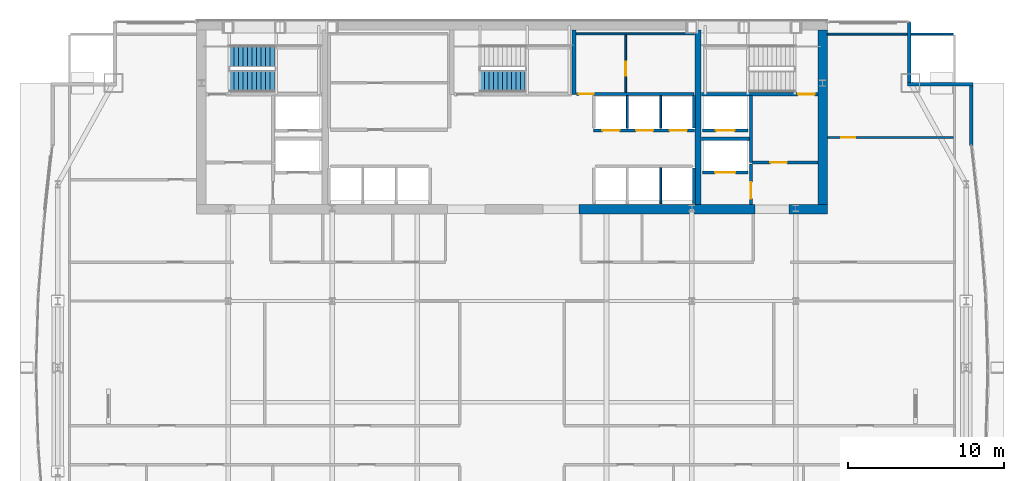
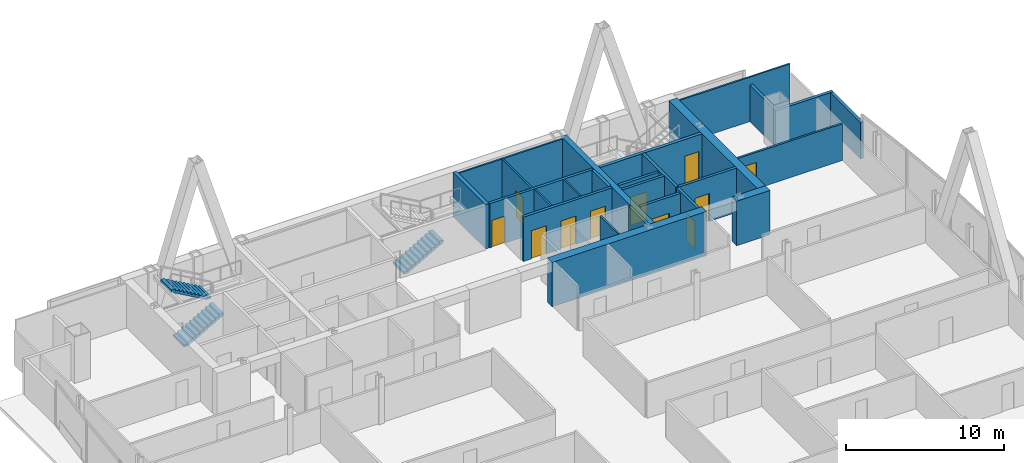
# One storey, part 29 of 32: 26 walls, 11 doors, 3 stair flights, 11 openings, 2 elements without a shape of their own.
"""IFC4 building model written with IfcOpenShell, lengths in metres."""

from ifc_helpers import new_model, si_unit, direction, frame, frame_2d, origin, place, context, subcontext, project, spatial, polyline, rectangle, outline, extrude, material, layer, layer_set, type_object, element, fill, aggregate, save


model = new_model("IFC4")

# Units and contexts
model_context = context("Model", 3, precision=1e-05, world=origin(), true_north=direction((0.0, 1.0)))
body_context = subcontext(model_context, "Body", "Model", "MODEL_VIEW")
ifc_project = project(units=[si_unit("LENGTHUNIT", "METRE"), si_unit("AREAUNIT", "SQUARE_METRE"), si_unit("VOLUMEUNIT", "CUBIC_METRE"), si_unit("PLANEANGLEUNIT", "RADIAN"), si_unit("MASSUNIT", "GRAM", prefix="KILO")], contexts=[model_context])

# Site, building, storey
site_placement = place(None, origin())
site = spatial("IfcSite", under=ifc_project, at=site_placement, CompositionType="ELEMENT")
building_placement = place(site_placement, origin())
building = spatial("IfcBuilding", under=site, at=building_placement, Name="Khoronbel Lancet Exchange", CompositionType="ELEMENT")
storey_placement = place(building_placement, frame((0.0, 0.0, 188.60009765625)))
storey = spatial("IfcBuildingStorey", under=building, at=storey_placement, Name="L47", CompositionType="ELEMENT", Elevation=188.60009765625)

# Walls
ifc_material_1 = material(Name="Concrete C60/75", Category="concrete")
ifc_layer_1 = layer(ifc_material_1, 0.60009765625, Name="Concrete C60/75")
ifc_layer_set_1 = layer_set([ifc_layer_1], Name="Concrete C60/75")
wall_type_1 = type_object("IfcWallType", Name="WL-CW3", PredefinedType="SHEAR", material=ifc_layer_set_1)
wall_1_placement = place(storey_placement, frame((56.39990234375, 53.10009765625, 0.0), z_axis=(0.0, 0.0, 1.0), x_axis=(0.0, -1.0, 0.0)))
element("IfcWall", 1, at=wall_1_placement, inside=storey, type_object=wall_type_1, Name="Level L47 rear core east shear wall", PredefinedType="SHEAR", context=body_context, shape_type="SweptSolid", body=[
    extrude(rectangle(XDim=11.2001953125, YDim=0.60009765625, at=frame_2d((5.60009765625, 0.0))), origin(), (0.0, 0.0, 1.0), 3.43994140625),
])
wall_2_placement = place(storey_placement, frame((52.050048828125, 41.60009765625, 0.0), z_axis=(0.0, 0.0, 1.0), x_axis=(-1.0, 0.0, 0.0)))
element("IfcWall", 2, at=wall_2_placement, inside=storey, type_object=wall_type_1, Name="Level L47 rear core south shear wall pier P4", PredefinedType="SHEAR", context=body_context, shape_type="SweptSolid", body=[
    extrude(rectangle(XDim=11.300048828125, YDim=0.60009765625, at=frame_2d((5.64990234375, 0.0))), origin(), (0.0, 0.0, 1.0), 3.43994140625),
])
wall_3_placement = place(storey_placement, frame((56.699951171875, 41.60009765625, 0.0), z_axis=(0.0, 0.0, 1.0), x_axis=(-1.0, 0.0, 0.0)))
element("IfcWall", 3, at=wall_3_placement, inside=storey, type_object=wall_type_1, Name="Level L47 rear core south shear wall pier P5", PredefinedType="SHEAR", context=body_context, shape_type="SweptSolid", body=[
    extrude(rectangle(XDim=2.449951171875, YDim=0.60009765625, at=frame_2d((1.22509765625, 0.0))), origin(), (0.0, 0.0, 1.0), 3.43994140625),
])
ifc_material_2 = material(Name="Precast concrete C40/50", Category="concrete")
ifc_layer_2 = layer(ifc_material_2, 0.25, Name="Precast concrete C40/50")
ifc_layer_set_2 = layer_set([ifc_layer_2], Name="Precast concrete C40/50")
wall_type_2 = type_object("IfcWallType", Name="WL-EXT250", PredefinedType="SOLIDWALL", material=ifc_layer_set_2)
wall_4_placement = place(storey_placement, frame((61.9599609375, 53.6298828125, 0.0), z_axis=(0.0, 0.0, 1.0), x_axis=(0.0, -1.0, 0.0)))
element("IfcWall", 4, at=wall_4_placement, inside=storey, type_object=wall_type_2, Name="Level L47 notched-corner limestone pier 14", PredefinedType="SOLIDWALL", context=body_context, shape_type="SweptSolid", body=[
    extrude(rectangle(XDim=3.909912109375, YDim=0.219970703125, at=frame_2d((1.955078125, 0.0))), origin(), (0.0, 0.0, 1.0), 2.829833984375),
])
wall_5_placement = place(storey_placement, frame((61.85009765625, 49.610107421875, 0.0), z_axis=(0.0, 0.0, 1.0), x_axis=(1.0, 0.0, 0.0)))
element("IfcWall", 5, at=wall_5_placement, inside=storey, type_object=wall_type_2, Name="Level L47 notched-corner limestone pier 15", PredefinedType="SOLIDWALL", context=body_context, shape_type="SweptSolid", body=[
    extrude(rectangle(XDim=4.219970703125, YDim=0.219970703125, at=frame_2d((2.10986328125, 0.0))), origin(), (0.0, 0.0, 1.0), 2.829833984375),
])
wall_6_placement = place(storey_placement, frame((65.9599609375, 49.5, 0.0), z_axis=(0.0, 0.0, 1.0), x_axis=(0.0, -1.0, 0.0)))
element("IfcWall", 6, at=wall_6_placement, inside=storey, type_object=wall_type_2, Name="Level L47 notched-corner limestone pier 16", PredefinedType="SOLIDWALL", context=body_context, shape_type="SweptSolid", body=[
    extrude(rectangle(XDim=3.824951171875, YDim=0.219970703125, at=frame_2d((1.91259765625, 0.0))), origin(), (0.0, 0.0, 1.0), 2.829833984375),
])

# Wall, opening, door
ifc_material_3 = material(Name="Acoustic Metal-Stud & Mineral-Wool Gypsum Partition 120 mm", Category="gypsum")
ifc_layer_3 = layer(ifc_material_3, 0.1201171875, Name="Acoustic Metal-Stud & Mineral-Wool Gypsum Partition 120 mm")
ifc_layer_set_3 = layer_set([ifc_layer_3], Name="Acoustic Metal-Stud & Mineral-Wool Gypsum Partition 120 mm")
wall_type_3 = type_object("IfcWallType", Name="WL-PRT120", PredefinedType="PARTITIONING", material=ifc_layer_set_3)
wall_7_placement = place(storey_placement, frame((56.699951171875, 46.199951171875, 0.0), z_axis=(0.0, 0.0, 1.0), x_axis=(1.0, 0.0, 0.0)))
wall_7 = element("IfcWall", 7, at=wall_7_placement, inside=storey, type_object=wall_type_3, Name="Level L47 interior partition PW-NE-H", PredefinedType="PARTITIONING", context=body_context, shape_type="SweptSolid", body=[
    extrude(rectangle(XDim=8.10498046875, YDim=0.14990234375, at=frame_2d((4.052490234375, 0.0))), origin(), (0.0, 0.0, 1.0), 2.829833984375),
])
opening_1_placement = place(wall_7_placement, frame((0.89990234375, 0.0, 0.0)))
opening_1 = element("IfcOpeningElement", 8, at=opening_1_placement, cuts=wall_7, Name="Opening D5", PredefinedType="OPENING", context=body_context, shape_type="SweptSolid", body=[
    extrude(rectangle(XDim=0.89990234375, YDim=2.050048828125, at=frame_2d((0.449951171875, 1.02490234375))), frame((0.0, 0.0849609375, 0.0), z_axis=(0.0, -1.0, 0.0), x_axis=(1.0, 0.0, 0.0)), (0.0, 0.0, 1.0), 0.169921875),
])
ifc_material_4 = material(Name="Acoustic Timber Pantry & Support Door", Category="wood")
door_type_1 = type_object("IfcDoorType", Name="DR-D5", OperationType="NOTDEFINED", PredefinedType="DOOR", material=ifc_material_4)
door_1_placement = place(opening_1_placement, origin())
door_1 = element("IfcDoor", 9, at=door_1_placement, inside=storey, type_object=door_type_1, Name="NE north room door L47-1", OperationType="SINGLE_SWING_LEFT", OverallHeight=2.050048828125, OverallWidth=0.89990234375, PredefinedType="DOOR", context=body_context, shape_type="SweptSolid", body=[
    extrude(rectangle(XDim=0.89990234375, YDim=2.050048828125, at=frame_2d((0.449951171875, 1.02490234375))), frame((0.0, 0.02490234375, 0.0), z_axis=(0.0, -1.0, 0.0), x_axis=(1.0, 0.0, 0.0)), (0.0, 0.0, 1.0), 0.050048828125),
])
fill(opening_1, door_1)

# Walls
wall_8_placement = place(storey_placement, frame((56.699951171875, 52.840087890625, 0.0), z_axis=(0.0, 0.0, 1.0), x_axis=(1.0, 0.0, 0.0)))
element("IfcWall", 10, at=wall_8_placement, inside=storey, type_object=wall_type_3, Name="Level L47 interior partition PW-LIN-NE", PredefinedType="PARTITIONING", context=body_context, shape_type="SweptSolid", body=[
    extrude(rectangle(XDim=8.10498046875, YDim=0.1201171875, at=frame_2d((4.052490234375, 0.0))), origin(), (0.0, 0.0, 1.0), 3.43994140625),
])
ifc_material_5 = material(Name="Fire-Rated Metal-Stud & Mineral-Wool Gypsum Partition 120 mm", Category="gypsum")
ifc_layer_4 = layer(ifc_material_5, 0.1201171875, Name="Fire-Rated Metal-Stud & Mineral-Wool Gypsum Partition 120 mm")
ifc_layer_set_4 = layer_set([ifc_layer_4], Name="Fire-Rated Metal-Stud & Mineral-Wool Gypsum Partition 120 mm")
wall_type_4 = type_object("IfcWallType", Name="WL-PRT120F", PredefinedType="PARTITIONING", material=ifc_layer_set_4)
for number, where, z_axis, x_axis, name in (
    (11, (43.860107421875, 46.800048828125, 0.0), (0.0, 0.0, 1.0), (0.0, 1.0, 0.0), "Level L47 interior partition CW-PH-D1"),
    (12, (46.0, 46.800048828125, 0.0), (0.0, 0.0, 1.0), (0.0, 1.0, 0.0), "Level L47 interior partition CW-PH-D2"),
):
    element("IfcWall", number, at=place(storey_placement, frame(where, z_axis=z_axis, x_axis=x_axis)), inside=storey, type_object=wall_type_4, Name=name, PredefinedType="PARTITIONING", context=body_context, shape_type="SweptSolid", body=[
        extrude(rectangle(XDim=2.094970703125, YDim=0.1201171875, at=frame_2d((1.04736328125, 0.0))), origin(), (0.0, 0.0, 1.0), 3.43994140625),
    ])
wall_9_placement = place(storey_placement, frame((46.0, 41.949951171875, 0.0), z_axis=(0.0, 0.0, 1.0), x_axis=(0.0, 1.0, 0.0)))
element("IfcWall", 13, at=wall_9_placement, inside=storey, type_object=wall_type_4, Name="Level L47 interior partition CW-PX-D2", PredefinedType="PARTITIONING", context=body_context, shape_type="SweptSolid", body=[
    extrude(rectangle(XDim=2.295166015625, YDim=0.1201171875, at=frame_2d((1.1474609375, 0.0))), origin(), (0.0, 0.0, 1.0), 3.43994140625),
])
wall_10_placement = place(storey_placement, frame((40.580078125, 52.860107421875, 0.0), z_axis=(0.0, 0.0, 1.0), x_axis=(1.0, 0.0, 0.0)))
element("IfcWall", 14, at=wall_10_placement, inside=storey, type_object=wall_type_4, Name="Level L47 interior partition CW-SUP-NE-N", PredefinedType="PARTITIONING", context=body_context, shape_type="SweptSolid", body=[
    extrude(rectangle(XDim=7.559814453125, YDim=0.1201171875, at=frame_2d((3.77978515625, 0.0))), origin(), (0.0, 0.0, 1.0), 3.43994140625),
])

# Wall, opening, door
wall_11_placement = place(storey_placement, frame((43.755126953125, 49.10498046875, 0.0), z_axis=(0.0, 0.0, 1.0), x_axis=(0.0, 1.0, 0.0)))
wall_11 = element("IfcWall", 15, at=wall_11_placement, inside=storey, type_object=wall_type_4, Name="Level L47 interior partition CW-SUP-NE-M", PredefinedType="PARTITIONING", context=body_context, shape_type="SweptSolid", body=[
    extrude(rectangle(XDim=3.68994140625, YDim=0.1201171875, at=frame_2d((1.844970703125, 0.0))), origin(), (0.0, 0.0, 1.0), 3.43994140625),
])
opening_2_placement = place(wall_11_placement, frame((1.050048828125, 0.0, 0.0)))
opening_2 = element("IfcOpeningElement", 16, at=opening_2_placement, cuts=wall_11, Name="Opening FD4", PredefinedType="OPENING", context=body_context, shape_type="SweptSolid", body=[
    extrude(rectangle(XDim=0.89990234375, YDim=2.050048828125, at=frame_2d((0.449951171875, 1.02490234375))), frame((0.0, 0.070068359375, 0.0), z_axis=(0.0, -1.0, 0.0), x_axis=(1.0, 0.0, 0.0)), (0.0, 0.0, 1.0), 0.14013671875),
])
ifc_material_6 = material(Name="Fire-Rated Steel Core Support Door Assembly", Category="steel")
door_type_2 = type_object("IfcDoorType", Name="DR-FD4", OperationType="NOTDEFINED", PredefinedType="DOOR", material=ifc_material_6)
door_2_placement = place(opening_2_placement, origin())
door_2 = element("IfcDoor", 17, at=door_2_placement, inside=storey, type_object=door_type_2, Name="Core NE inner support door L47-1", OperationType="SINGLE_SWING_RIGHT", OverallHeight=2.050048828125, OverallWidth=0.89990234375, PredefinedType="DOOR", context=body_context, shape_type="SweptSolid", body=[
    extrude(rectangle(XDim=0.89990234375, YDim=2.050048828125, at=frame_2d((0.449951171875, 1.02490234375))), frame((0.0, 0.02490234375, 0.0), z_axis=(0.0, -1.0, 0.0), x_axis=(1.0, 0.0, 0.0)), (0.0, 0.0, 1.0), 0.050048828125),
])
fill(opening_2, door_2)

ifc_material_7 = material(Name="Autoclaved Aerated Concrete Blockwork 200 mm", Category="masonry")
ifc_layer_5 = layer(ifc_material_7, 0.199951171875, Name="Autoclaved Aerated Concrete Blockwork 200 mm")
ifc_layer_set_5 = layer_set([ifc_layer_5], Name="Autoclaved Aerated Concrete Blockwork 200 mm")
wall_type_5 = type_object("IfcWallType", Name="WL-PRT200", PredefinedType="PARTITIONING", material=ifc_layer_set_5)
wall_12_placement = place(storey_placement, frame((51.610107421875, 43.949951171875, 0.0), z_axis=(0.0, 0.0, 1.0), x_axis=(-1.0, 0.0, 0.0)))
wall_12 = element("IfcWall", 18, at=wall_12_placement, inside=storey, type_object=wall_type_5, Name="Level L47 elevator hoistway landing front wall SVLE", PredefinedType="PARTITIONING", context=body_context, shape_type="SweptSolid", body=[
    extrude(rectangle(XDim=2.920166015625, YDim=0.199951171875, at=frame_2d((1.4599609375, 0.0))), origin(), (0.0, 0.0, 1.0), 3.43994140625),
])
opening_3_placement = place(wall_12_placement, frame((0.81005859375, 0.0, 0.0)))
opening_3 = element("IfcOpeningElement", 19, at=opening_3_placement, cuts=wall_12, Name="Opening LD-SVL2", PredefinedType="OPENING", context=body_context, shape_type="SweptSolid", body=[
    extrude(rectangle(XDim=1.300048828125, YDim=2.179931640625, at=frame_2d((0.64990234375, 1.08984375))), frame((0.0, 0.10986328125, 0.0), z_axis=(0.0, -1.0, 0.0), x_axis=(1.0, 0.0, 0.0)), (0.0, 0.0, 1.0), 0.219970703125),
])
ifc_material_8 = material(Name="Heavy-Duty Bi-Parting Goods Lift Landing Door", Category="steel")
door_type_3 = type_object("IfcDoorType", Name="DR-LD-SVL", OperationType="NOTDEFINED", PredefinedType="DOOR", material=ifc_material_8)
door_3_placement = place(opening_3_placement, origin())
door_3 = element("IfcDoor", 20, at=door_3_placement, inside=storey, type_object=door_type_3, Name="Elevator landing sliding door LD-SVL2 L47", OperationType="SLIDING_TO_LEFT", OverallHeight=2.179931640625, OverallWidth=1.300048828125, PredefinedType="DOOR", context=body_context, shape_type="SweptSolid", body=[
    extrude(rectangle(XDim=1.300048828125, YDim=2.179931640625, at=frame_2d((0.64990234375, 1.08984375))), frame((0.0, 0.02490234375, 0.0), z_axis=(0.0, -1.0, 0.0), x_axis=(1.0, 0.0, 0.0)), (0.0, 0.0, 1.0), 0.050048828125),
])
fill(opening_3, door_3)

wall_13_placement = place(storey_placement, frame((51.610107421875, 46.64990234375, 0.0), z_axis=(0.0, 0.0, 1.0), x_axis=(-1.0, 0.0, 0.0)))
wall_13 = element("IfcWall", 21, at=wall_13_placement, inside=storey, type_object=wall_type_5, Name="Level L47 elevator hoistway landing front wall FFLE", PredefinedType="PARTITIONING", context=body_context, shape_type="SweptSolid", body=[
    extrude(rectangle(XDim=2.920166015625, YDim=0.199951171875, at=frame_2d((1.4599609375, 0.0))), origin(), (0.0, 0.0, 1.0), 3.43994140625),
])
opening_4_placement = place(wall_13_placement, frame((0.860107421875, 0.0, 0.0)))
opening_4 = element("IfcOpeningElement", 22, at=opening_4_placement, cuts=wall_13, Name="Opening LD-FFL2", PredefinedType="OPENING", context=body_context, shape_type="SweptSolid", body=[
    extrude(rectangle(XDim=1.199951171875, YDim=2.179931640625, at=frame_2d((0.60009765625, 1.08984375))), frame((0.0, 0.10986328125, 0.0), z_axis=(0.0, -1.0, 0.0), x_axis=(1.0, 0.0, 0.0)), (0.0, 0.0, 1.0), 0.219970703125),
])
ifc_material_9 = material(Name="Fire-Rated Stainless Bi-Parting Firefighting Lift Door", Category="steel")
door_type_4 = type_object("IfcDoorType", Name="DR-LD-FFL", OperationType="NOTDEFINED", PredefinedType="DOOR", material=ifc_material_9)
door_4_placement = place(opening_4_placement, origin())
door_4 = element("IfcDoor", 23, at=door_4_placement, inside=storey, type_object=door_type_4, Name="Elevator landing sliding door LD-FFL2 L47", OperationType="SLIDING_TO_LEFT", OverallHeight=2.179931640625, OverallWidth=1.199951171875, PredefinedType="DOOR", context=body_context, shape_type="SweptSolid", body=[
    extrude(rectangle(XDim=1.199951171875, YDim=2.179931640625, at=frame_2d((0.60009765625, 1.08984375))), frame((0.0, 0.02490234375, 0.0), z_axis=(0.0, -1.0, 0.0), x_axis=(1.0, 0.0, 0.0)), (0.0, 0.0, 1.0), 0.050048828125),
])
fill(opening_4, door_4)

# Wall, openings, doors
wall_14_placement = place(storey_placement, frame((48.159912109375, 46.64990234375, 0.0), z_axis=(0.0, 0.0, 1.0), x_axis=(-1.0, 0.0, 0.0)))
wall_14 = element("IfcWall", 24, at=wall_14_placement, inside=storey, type_object=wall_type_5, Name="Level L47 elevator hoistway landing front wall PHE", PredefinedType="PARTITIONING", context=body_context, shape_type="SweptSolid", body=[
    extrude(rectangle(XDim=6.47998046875, YDim=0.199951171875, at=frame_2d((3.239990234375, 0.0))), origin(), (0.0, 0.0, 1.0), 3.43994140625),
])
opening_5_placement = place(wall_14_placement, frame((4.800048828125, 0.0, 0.0)))
opening_5 = element("IfcOpeningElement", 25, at=opening_5_placement, cuts=wall_14, Name="Opening LD-PH1", PredefinedType="OPENING", context=body_context, shape_type="SweptSolid", body=[
    extrude(rectangle(XDim=1.10009765625, YDim=2.179931640625, at=frame_2d((0.550048828125, 1.08984375))), frame((0.0, 0.10986328125, 0.0), z_axis=(0.0, -1.0, 0.0), x_axis=(1.0, 0.0, 0.0)), (0.0, 0.0, 1.0), 0.219970703125),
])
opening_6_placement = place(wall_14_placement, frame((2.639892578125, 0.0, 0.0)))
opening_6 = element("IfcOpeningElement", 26, at=opening_6_placement, cuts=wall_14, Name="Opening LD-PH2", PredefinedType="OPENING", context=body_context, shape_type="SweptSolid", body=[
    extrude(rectangle(XDim=1.10009765625, YDim=2.179931640625, at=frame_2d((0.550048828125, 1.08984375))), frame((0.0, 0.10986328125, 0.0), z_axis=(0.0, -1.0, 0.0), x_axis=(1.0, 0.0, 0.0)), (0.0, 0.0, 1.0), 0.219970703125),
])
opening_7_placement = place(wall_14_placement, frame((0.47998046875, 0.0, 0.0)))
opening_7 = element("IfcOpeningElement", 27, at=opening_7_placement, cuts=wall_14, Name="Opening LD-PH3", PredefinedType="OPENING", context=body_context, shape_type="SweptSolid", body=[
    extrude(rectangle(XDim=1.10009765625, YDim=2.179931640625, at=frame_2d((0.550048828125, 1.08984375))), frame((0.0, 0.10986328125, 0.0), z_axis=(0.0, -1.0, 0.0), x_axis=(1.0, 0.0, 0.0)), (0.0, 0.0, 1.0), 0.219970703125),
])
ifc_material_10 = material(Name="Brushed Bronze Bi-Parting Elevator Landing Door", Category="steel")
door_type_5 = type_object("IfcDoorType", Name="DR-LD-PAX", OperationType="NOTDEFINED", PredefinedType="DOOR", material=ifc_material_10)
door_5_placement = place(opening_5_placement, origin())
door_5 = element("IfcDoor", 28, at=door_5_placement, inside=storey, type_object=door_type_5, Name="Elevator landing sliding door LD-PH1 L47", OperationType="SLIDING_TO_LEFT", OverallHeight=2.179931640625, OverallWidth=1.10009765625, PredefinedType="DOOR", context=body_context, shape_type="SweptSolid", body=[
    extrude(rectangle(XDim=1.10009765625, YDim=2.179931640625, at=frame_2d((0.550048828125, 1.08984375))), frame((0.0, 0.02490234375, 0.0), z_axis=(0.0, -1.0, 0.0), x_axis=(1.0, 0.0, 0.0)), (0.0, 0.0, 1.0), 0.050048828125),
])
fill(opening_5, door_5)
door_6_placement = place(opening_6_placement, origin())
door_6 = element("IfcDoor", 29, at=door_6_placement, inside=storey, type_object=door_type_5, Name="Elevator landing sliding door LD-PH2 L47", OperationType="SLIDING_TO_LEFT", OverallHeight=2.179931640625, OverallWidth=1.10009765625, PredefinedType="DOOR", context=body_context, shape_type="SweptSolid", body=[
    extrude(rectangle(XDim=1.10009765625, YDim=2.179931640625, at=frame_2d((0.550048828125, 1.08984375))), frame((0.0, 0.02490234375, 0.0), z_axis=(0.0, -1.0, 0.0), x_axis=(1.0, 0.0, 0.0)), (0.0, 0.0, 1.0), 0.050048828125),
])
fill(opening_6, door_6)
door_7_placement = place(opening_7_placement, origin())
door_7 = element("IfcDoor", 30, at=door_7_placement, inside=storey, type_object=door_type_5, Name="Elevator landing sliding door LD-PH3 L47", OperationType="SLIDING_TO_LEFT", OverallHeight=2.179931640625, OverallWidth=1.10009765625, PredefinedType="DOOR", context=body_context, shape_type="SweptSolid", body=[
    extrude(rectangle(XDim=1.10009765625, YDim=2.179931640625, at=frame_2d((0.550048828125, 1.08984375))), frame((0.0, 0.02490234375, 0.0), z_axis=(0.0, -1.0, 0.0), x_axis=(1.0, 0.0, 0.0)), (0.0, 0.0, 1.0), 0.050048828125),
])
fill(opening_7, door_7)

# Wall
wall_15_placement = place(storey_placement, frame((51.800048828125, 44.60009765625, 0.0), z_axis=(0.0, 0.0, 1.0), x_axis=(0.0, 1.0, 0.0)))
element("IfcWall", 31, at=wall_15_placement, inside=storey, type_object=wall_type_5, Name="Level L47 interior partition CW-FFLE-W", PredefinedType="PARTITIONING", context=body_context, shape_type="SweptSolid", body=[
    extrude(rectangle(XDim=4.2998046875, YDim=0.199951171875, at=frame_2d((2.14990234375, 0.0))), origin(), (0.0, 0.0, 1.0), 3.43994140625),
])

# Wall, opening, door
wall_16_placement = place(storey_placement, frame((51.89990234375, 44.60009765625, 0.0), z_axis=(0.0, 0.0, 1.0), x_axis=(1.0, 0.0, 0.0)))
wall_16 = element("IfcWall", 32, at=wall_16_placement, inside=storey, type_object=wall_type_5, Name="Level L47 interior partition CW-FFLE-S", PredefinedType="PARTITIONING", context=body_context, shape_type="SweptSolid", body=[
    extrude(rectangle(XDim=4.2001953125, YDim=0.199951171875, at=frame_2d((2.10009765625, 0.0))), origin(), (0.0, 0.0, 1.0), 3.43994140625),
])
opening_8_placement = place(wall_16_placement, frame((1.14990234375, 0.0, 0.0)))
opening_8 = element("IfcOpeningElement", 33, at=opening_8_placement, cuts=wall_16, Name="Opening FD1", PredefinedType="OPENING", context=body_context, shape_type="SweptSolid", body=[
    extrude(rectangle(XDim=1.050048828125, YDim=2.14990234375, at=frame_2d((0.52490234375, 1.074951171875))), frame((0.0, 0.10986328125, 0.0), z_axis=(0.0, -1.0, 0.0), x_axis=(1.0, 0.0, 0.0)), (0.0, 0.0, 1.0), 0.219970703125),
])
ifc_material_11 = material(Name="Fire-Rated Painted Steel Door Assembly", Category="steel")
door_type_6 = type_object("IfcDoorType", Name="DR-FD1", OperationType="NOTDEFINED", PredefinedType="DOOR", material=ifc_material_11)
door_8_placement = place(opening_8_placement, origin())
door_8 = element("IfcDoor", 34, at=door_8_placement, inside=storey, type_object=door_type_6, Name="East firefighting lobby FD90S door L47-1", OperationType="SINGLE_SWING_LEFT", OverallHeight=2.14990234375, OverallWidth=1.050048828125, PredefinedType="DOOR", context=body_context, shape_type="SweptSolid", body=[
    extrude(rectangle(XDim=1.050048828125, YDim=2.14990234375, at=frame_2d((0.52490234375, 1.074951171875))), frame((0.0, 0.02490234375, 0.0), z_axis=(0.0, -1.0, 0.0), x_axis=(1.0, 0.0, 0.0)), (0.0, 0.0, 1.0), 0.050048828125),
])
fill(opening_8, door_8)

# Wall
wall_17_placement = place(storey_placement, frame((48.6298828125, 46.1201171875, 0.0), z_axis=(0.0, 0.0, 1.0), x_axis=(1.0, 0.0, 0.0)))
element("IfcWall", 35, at=wall_17_placement, inside=storey, type_object=wall_type_5, Name="Level L47 interior partition CW-FFL2-S", PredefinedType="PARTITIONING", context=body_context, shape_type="SweptSolid", body=[
    extrude(rectangle(XDim=3.070068359375, YDim=0.199951171875, at=frame_2d((1.53515625, 0.0))), origin(), (0.0, 0.0, 1.0), 3.43994140625),
])

# Wall, opening, door
wall_18_placement = place(storey_placement, frame((51.800048828125, 41.89990234375, 0.0), z_axis=(0.0, 0.0, 1.0), x_axis=(0.0, 1.0, 0.0)))
wall_18 = element("IfcWall", 36, at=wall_18_placement, inside=storey, type_object=wall_type_5, Name="Level L47 interior partition CW-SVLE-E", PredefinedType="PARTITIONING", context=body_context, shape_type="SweptSolid", body=[
    extrude(rectangle(XDim=2.59521484375, YDim=0.199951171875, at=frame_2d((1.297607421875, 0.0))), origin(), (0.0, 0.0, 1.0), 3.43994140625),
])
opening_9_placement = place(wall_18_placement, frame((0.3798828125, 0.0, 0.0)))
opening_9 = element("IfcOpeningElement", 37, at=opening_9_placement, cuts=wall_18, Name="Opening FD1", PredefinedType="OPENING", context=body_context, shape_type="SweptSolid", body=[
    extrude(rectangle(XDim=1.050048828125, YDim=2.14990234375, at=frame_2d((0.52490234375, 1.074951171875))), frame((0.0, 0.10986328125, 0.0), z_axis=(0.0, -1.0, 0.0), x_axis=(1.0, 0.0, 0.0)), (0.0, 0.0, 1.0), 0.219970703125),
])
door_9_placement = place(opening_9_placement, origin())
door_9 = element("IfcDoor", 38, at=door_9_placement, inside=storey, type_object=door_type_6, Name="East service lift lobby door L47-1", OperationType="SINGLE_SWING_RIGHT", OverallHeight=2.14990234375, OverallWidth=1.050048828125, PredefinedType="DOOR", context=body_context, shape_type="SweptSolid", body=[
    extrude(rectangle(XDim=1.050048828125, YDim=2.14990234375, at=frame_2d((0.52490234375, 1.074951171875))), frame((0.0, 0.02490234375, 0.0), z_axis=(0.0, -1.0, 0.0), x_axis=(1.0, 0.0, 0.0)), (0.0, 0.0, 1.0), 0.050048828125),
])
fill(opening_9, door_9)

# Walls
wall_19_placement = place(storey_placement, frame((48.139892578125, 46.800048828125, 0.0), z_axis=(0.0, 0.0, 1.0), x_axis=(0.0, 1.0, 0.0)))
element("IfcWall", 39, at=wall_19_placement, inside=storey, type_object=wall_type_5, Name="Level L47 interior partition CW-PH-E", PredefinedType="PARTITIONING", context=body_context, shape_type="SweptSolid", body=[
    extrude(rectangle(XDim=2.094970703125, YDim=0.199951171875, at=frame_2d((1.04736328125, 0.0))), origin(), (0.0, 0.0, 1.0), 3.43994140625),
])
wall_20_placement = place(storey_placement, frame((48.139892578125, 41.949951171875, 0.0), z_axis=(0.0, 0.0, 1.0), x_axis=(0.0, 1.0, 0.0)))
element("IfcWall", 40, at=wall_20_placement, inside=storey, type_object=wall_type_5, Name="Level L47 interior partition CW-PX-E", PredefinedType="PARTITIONING", context=body_context, shape_type="SweptSolid", body=[
    extrude(rectangle(XDim=2.295166015625, YDim=0.199951171875, at=frame_2d((1.1474609375, 0.0))), origin(), (0.0, 0.0, 1.0), 3.43994140625),
])

# Wall, opening, door
wall_21_placement = place(storey_placement, frame((40.580078125, 49.0, 0.0), z_axis=(0.0, 0.0, 1.0), x_axis=(1.0, 0.0, 0.0)))
wall_21 = element("IfcWall", 41, at=wall_21_placement, inside=storey, type_object=wall_type_5, Name="Level L47 interior partition CW-SUP-NE-S", PredefinedType="PARTITIONING", context=body_context, shape_type="SweptSolid", body=[
    extrude(rectangle(XDim=7.559814453125, YDim=0.199951171875, at=frame_2d((3.77978515625, 0.0))), origin(), (0.0, 0.0, 1.0), 3.43994140625),
])
opening_10_placement = place(wall_21_placement, frame((0.159912109375, 0.0, 0.0)))
opening_10 = element("IfcOpeningElement", 42, at=opening_10_placement, cuts=wall_21, Name="Opening FD3", PredefinedType="OPENING", context=body_context, shape_type="SweptSolid", body=[
    extrude(rectangle(XDim=0.949951171875, YDim=2.10009765625, at=frame_2d((0.47509765625, 1.050048828125))), frame((0.0, 0.10986328125, 0.0), z_axis=(0.0, -1.0, 0.0), x_axis=(1.0, 0.0, 0.0)), (0.0, 0.0, 1.0), 0.219970703125),
])
ifc_material_12 = material(Name="Fire-Rated Steel Plant & Riser Door Assembly", Category="steel")
door_type_7 = type_object("IfcDoorType", Name="DR-FD3", OperationType="NOTDEFINED", PredefinedType="DOOR", material=ifc_material_12)
door_10_placement = place(opening_10_placement, origin())
door_10 = element("IfcDoor", 43, at=door_10_placement, inside=storey, type_object=door_type_7, Name="Core NE support room door L47-1", OperationType="SINGLE_SWING_LEFT", OverallHeight=2.10009765625, OverallWidth=0.949951171875, PredefinedType="DOOR", context=body_context, shape_type="SweptSolid", body=[
    extrude(rectangle(XDim=0.949951171875, YDim=2.10009765625, at=frame_2d((0.47509765625, 1.050048828125))), frame((0.0, 0.02490234375, 0.0), z_axis=(0.0, -1.0, 0.0), x_axis=(1.0, 0.0, 0.0)), (0.0, 0.0, 1.0), 0.050048828125),
])
fill(opening_10, door_10)

# Walls
ifc_layer_6 = layer(ifc_material_1, 0.39990234375, Name="Concrete C60/75")
ifc_layer_set_6 = layer_set([ifc_layer_6], Name="Concrete C60/75")
wall_type_6 = type_object("IfcWallType", Name="WL-SW2", PredefinedType="SHEAR", material=ifc_layer_set_6)
wall_22_placement = place(storey_placement, frame((48.39990234375, 41.89990234375, 0.0), z_axis=(0.0, 0.0, 1.0), x_axis=(0.0, 1.0, 0.0)))
element("IfcWall", 44, at=wall_22_placement, inside=storey, type_object=wall_type_6, Name="Level L47 rear core internal spine shear wall IE", PredefinedType="SHEAR", context=body_context, shape_type="SweptSolid", body=[
    extrude(rectangle(XDim=11.2001953125, YDim=0.39990234375, at=frame_2d((5.60009765625, 0.0))), origin(), (0.0, 0.0, 1.0), 3.43994140625),
])
ifc_layer_7 = layer(ifc_material_1, 0.260009765625, Name="Concrete C60/75")
ifc_layer_set_7 = layer_set([ifc_layer_7], Name="Concrete C60/75")
wall_type_7 = type_object("IfcWallType", Name="WL-SW3", PredefinedType="SHEAR", material=ifc_layer_set_7)
wall_23_placement = place(storey_placement, frame((40.419921875, 48.949951171875, 0.0), z_axis=(0.0, 0.0, 1.0), x_axis=(0.0, 1.0, 0.0)))
element("IfcWall", 45, at=wall_23_placement, inside=storey, type_object=wall_type_7, Name="Level L47 central stairwell structural shear wall ST3E", PredefinedType="SHEAR", context=body_context, shape_type="SweptSolid", body=[
    extrude(rectangle(XDim=4.150146484375, YDim=0.260009765625, at=frame_2d((2.0751953125, 0.0))), origin(), (0.0, 0.0, 1.0), 3.43994140625),
])

# Wall, opening, door
wall_24_placement = place(storey_placement, frame((48.6298828125, 48.97998046875, 0.0), z_axis=(0.0, 0.0, 1.0), x_axis=(1.0, 0.0, 0.0)))
wall_24 = element("IfcWall", 46, at=wall_24_placement, inside=storey, type_object=wall_type_7, Name="Level L47 east stairwell structural south wall", PredefinedType="SHEAR", context=body_context, shape_type="SweptSolid", body=[
    extrude(rectangle(XDim=7.47021484375, YDim=0.239990234375, at=frame_2d((3.735107421875, 0.0))), origin(), (0.0, 0.0, 1.0), 3.43994140625),
])
opening_11_placement = place(wall_24_placement, frame((6.199951171875, 0.0, 0.0)))
opening_11 = element("IfcOpeningElement", 47, at=opening_11_placement, cuts=wall_24, Name="Opening SD1", PredefinedType="OPENING", context=body_context, shape_type="SweptSolid", body=[
    extrude(rectangle(XDim=1.050048828125, YDim=2.14990234375, at=frame_2d((0.52490234375, 1.074951171875))), frame((0.0, 0.1298828125, 0.0), z_axis=(0.0, -1.0, 0.0), x_axis=(1.0, 0.0, 0.0)), (0.0, 0.0, 1.0), 0.260009765625),
])
ifc_material_13 = material(Name="Fire-Rated Steel Stairwell Door Assembly", Category="steel")
door_type_8 = type_object("IfcDoorType", Name="DR-SD1", OperationType="NOTDEFINED", PredefinedType="DOOR", material=ifc_material_13)
door_11_placement = place(opening_11_placement, origin())
door_11 = element("IfcDoor", 48, at=door_11_placement, inside=storey, type_object=door_type_8, Name="Protected exit stair ST2 door L47", OperationType="SINGLE_SWING_RIGHT", OverallHeight=2.14990234375, OverallWidth=1.050048828125, PredefinedType="DOOR", context=body_context, shape_type="SweptSolid", body=[
    extrude(rectangle(XDim=1.050048828125, YDim=2.14990234375, at=frame_2d((0.52490234375, 1.074951171875))), frame((0.0, 0.02490234375, 0.0), z_axis=(0.0, -1.0, 0.0), x_axis=(1.0, 0.0, 0.0)), (0.0, 0.0, 1.0), 0.050048828125),
])
fill(opening_11, door_11)

# Stair, stair flights
ifc_material_14 = material(Name="Concrete C40/50", Category="concrete")
stair_type = type_object("IfcStairType", Name="STR-CORE150", PredefinedType="HALF_TURN_STAIR", material=ifc_material_14)
stair_1_placement = place(storey_placement, origin())
stair_1 = element("IfcStair", 49, at=stair_1_placement, inside=storey, type_object=stair_type, Name="L47 Protected Exit Stair ST1", PredefinedType="HALF_TURN_STAIR")
stair_flight_type = type_object("IfcStairFlightType", Name="STF-150", PredefinedType="STRAIGHT", material=ifc_material_14)
stair_flight_1_placement = place(storey_placement, frame((18.300048828125, 49.81005859375, 0.0), z_axis=(0.0, 0.0, 1.0), x_axis=(1.0, 0.0, 0.0)))
stair_flight_1 = element("IfcStairFlight", 50, at=stair_flight_1_placement, type_object=stair_flight_type, Name="ST1 flight 1", NumberOfRisers=11, NumberOfTreads=10, PredefinedType="STRAIGHT", RiserHeight=0.163636364, TreadLength=0.29, context=body_context, shape_type="SweptSolid", body=[
    extrude(outline(polyline([(0.0, 0.0), (0.0, 0.16357421875), (0.2900390625, 0.16357421875), (0.2900390625, 0.327392578125), (0.580078125, 0.327392578125), (0.580078125, 0.490966796875), (0.8701171875, 0.490966796875), (0.8701171875, 0.654541015625), (1.159912109375, 0.654541015625), (1.159912109375, 0.818115234375), (1.449951171875, 0.818115234375), (1.449951171875, 0.98193359375), (1.739990234375, 0.98193359375), (1.739990234375, 1.1455078125), (2.030029296875, 1.1455078125), (2.030029296875, 1.30908203125), (2.320068359375, 1.30908203125), (2.320068359375, 1.47265625), (2.610107421875, 1.47265625), (2.610107421875, 1.636474609375), (2.89990234375, 1.636474609375), (2.89990234375, 1.800048828125), (2.89990234375, 1.46435546875), (0.304931640625, 0.0), (0.0, 0.0)])), frame((0.0, 0.68994140625, 0.0), z_axis=(0.0, -1.0, 0.0), x_axis=(1.0, 0.0, 0.0)), (0.0, 0.0, 1.0), 1.3798828125),
])
stair_flight_2_placement = place(storey_placement, frame((21.199951171875, 51.409912109375, 1.7998046875), z_axis=(0.0, 0.0, 1.0), x_axis=(-1.0, 0.0, 0.0)))
stair_flight_2 = element("IfcStairFlight", 51, at=stair_flight_2_placement, type_object=stair_flight_type, Name="ST1 flight 2", NumberOfRisers=11, NumberOfTreads=10, PredefinedType="STRAIGHT", RiserHeight=0.163636364, TreadLength=0.29, context=body_context, shape_type="SweptSolid", body=[
    extrude(outline(polyline([(0.0, 0.0), (0.0, 0.16357421875), (0.2900390625, 0.16357421875), (0.2900390625, 0.327392578125), (0.580078125, 0.327392578125), (0.580078125, 0.490966796875), (0.8701171875, 0.490966796875), (0.8701171875, 0.654541015625), (1.159912109375, 0.654541015625), (1.159912109375, 0.818115234375), (1.449951171875, 0.818115234375), (1.449951171875, 0.98193359375), (1.739990234375, 0.98193359375), (1.739990234375, 1.1455078125), (2.030029296875, 1.1455078125), (2.030029296875, 1.30908203125), (2.320068359375, 1.30908203125), (2.320068359375, 1.47265625), (2.610107421875, 1.47265625), (2.610107421875, 1.636474609375), (2.89990234375, 1.636474609375), (2.89990234375, 1.800048828125), (2.89990234375, 1.46435546875), (0.304931640625, 0.0), (0.0, 0.0)])), frame((0.0, 0.68994140625, 0.0), z_axis=(0.0, -1.0, 0.0), x_axis=(1.0, 0.0, 0.0)), (0.0, 0.0, 1.0), 1.3798828125),
])
aggregate(stair_1, [stair_flight_1, stair_flight_2])

# Stair, stair flight
stair_2_placement = place(storey_placement, origin())
stair_2 = element("IfcStair", 52, at=stair_2_placement, inside=storey, type_object=stair_type, Name="L47 Protected Exit Stair ST3", PredefinedType="HALF_TURN_STAIR")
stair_flight_3_placement = place(storey_placement, frame((34.39990234375, 49.81005859375, 0.0), z_axis=(0.0, 0.0, 1.0), x_axis=(1.0, 0.0, 0.0)))
stair_flight_3 = element("IfcStairFlight", 53, at=stair_flight_3_placement, type_object=stair_flight_type, Name="ST3 flight 1", NumberOfRisers=11, NumberOfTreads=10, PredefinedType="STRAIGHT", RiserHeight=0.163636364, TreadLength=0.29, context=body_context, shape_type="SweptSolid", body=[
    extrude(outline(polyline([(0.0, 0.0), (0.0, 0.16357421875), (0.2900390625, 0.16357421875), (0.2900390625, 0.327392578125), (0.580078125, 0.327392578125), (0.580078125, 0.490966796875), (0.8701171875, 0.490966796875), (0.8701171875, 0.654541015625), (1.159912109375, 0.654541015625), (1.159912109375, 0.818115234375), (1.449951171875, 0.818115234375), (1.449951171875, 0.98193359375), (1.739990234375, 0.98193359375), (1.739990234375, 1.1455078125), (2.030029296875, 1.1455078125), (2.030029296875, 1.30908203125), (2.320068359375, 1.30908203125), (2.320068359375, 1.47265625), (2.610107421875, 1.47265625), (2.610107421875, 1.636474609375), (2.89990234375, 1.636474609375), (2.89990234375, 1.800048828125), (2.89990234375, 1.46435546875), (0.304931640625, 0.0), (0.0, 0.0)])), frame((0.0, 0.68994140625, 0.0), z_axis=(0.0, -1.0, 0.0), x_axis=(1.0, 0.0, 0.0)), (0.0, 0.0, 1.0), 1.3798828125),
])
aggregate(stair_2, [stair_flight_3])

save(model, "model.ifc")
